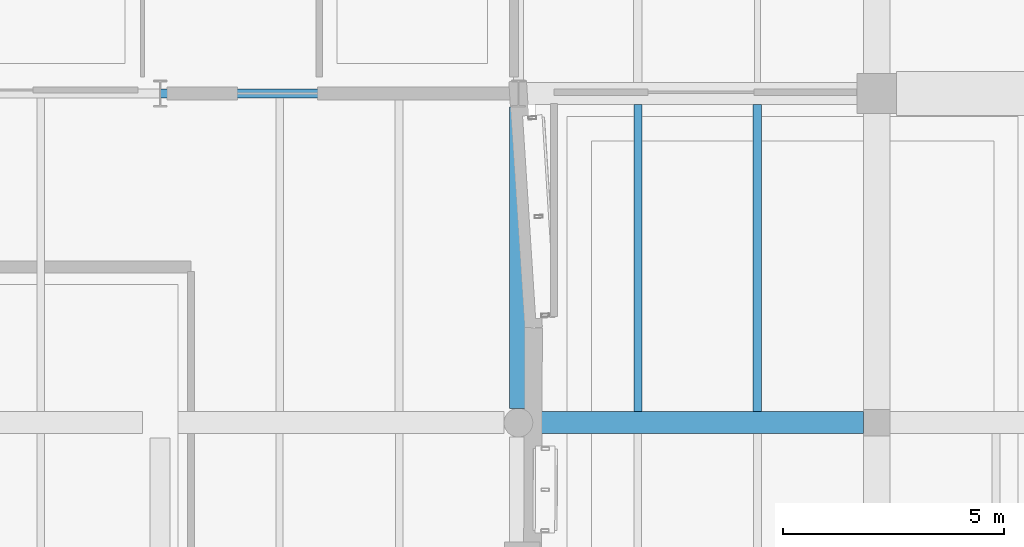
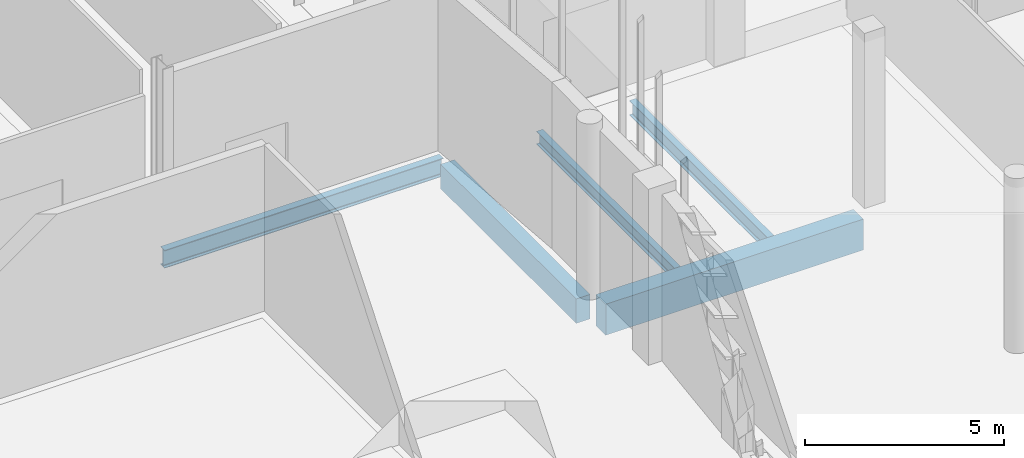
# One storey, part 128 of 372: 5 beams.
"""IFC4 building model written with IfcOpenShell, lengths in metres."""

from ifc_helpers import new_model, si_unit, direction, frame, origin, origin_2d, place, context, subcontext, project, spatial, rectangle, i_section, extrude, material, material_profile, profile_set, type_object, element, save


model = new_model("IFC4")

# Units and contexts
model_context = context("Model", 3, precision=1e-05, world=origin(), true_north=direction((0.0, 1.0)))
body_context = subcontext(model_context, "Body", "Model", "MODEL_VIEW")
ifc_project = project(units=[si_unit("LENGTHUNIT", "METRE"), si_unit("AREAUNIT", "SQUARE_METRE"), si_unit("VOLUMEUNIT", "CUBIC_METRE"), si_unit("PLANEANGLEUNIT", "RADIAN"), si_unit("MASSUNIT", "GRAM", prefix="KILO")], contexts=[model_context])

# Site, building, storey
site_placement = place(None, origin())
site = spatial("IfcSite", under=ifc_project, at=site_placement, CompositionType="ELEMENT")
building_placement = place(site_placement, origin())
building = spatial("IfcBuilding", under=site, at=building_placement, Name="Kaelora Sail Theatre", CompositionType="ELEMENT")
storey_placement = place(building_placement, origin())
storey = spatial("IfcBuildingStorey", under=building, at=storey_placement, Name="L00", CompositionType="ELEMENT", Elevation=0.0)

# Beams
ifc_material_1 = material(Name="Steel S355", Category="steel")
ifc_material_profile_1 = material_profile(ifc_material_1, i_section(OverallWidth=0.18994140625, OverallDepth=0.449951171875, WebThickness=0.009521484375, FlangeThickness=0.0146484375, FilletRadius=0.02099609375, at=origin_2d()), Name="IPE 450")
ifc_profile_set_1 = profile_set([ifc_material_profile_1], Name="Steel S355")
beam_type_1 = type_object("IfcBeamType", Name="STR-BM-BM-IPE450", PredefinedType="BEAM", material=ifc_profile_set_1)
beam_1_placement = place(storey_placement, frame((63.60009765625, 53.830078125, -0.544921875), z_axis=(0.0, 1.0, 0.0), x_axis=(-1.0, 0.0, 0.0)))
element("IfcBeam", 1, at=beam_1_placement, inside=storey, type_object=beam_type_1, Name="Secondary floor joist 8/H-2 (L00)", PredefinedType="BEAM", context=body_context, shape_type="SweptSolid", body=[
    extrude(i_section(OverallWidth=0.18994140625, OverallDepth=0.449951171875, WebThickness=0.009521484375, FlangeThickness=0.0146484375, FilletRadius=0.02099609375, at=origin_2d()), origin(), (0.0, 0.0, 1.0), 6.93994140625),
])
ifc_material_2 = material(Name="Steel S355", Category="steel")
ifc_material_profile_2 = material_profile(ifc_material_2, i_section(OverallWidth=0.2099609375, OverallDepth=0.550048828125, WebThickness=0.010986328125, FlangeThickness=0.01708984375, FilletRadius=0.02392578125, at=origin_2d()), Name="IPE 550")
ifc_profile_set_2 = profile_set([ifc_material_profile_2], Name="Steel S355")
beam_type_2 = type_object("IfcBeamType", Name="STR-BM-BM-IPE550", PredefinedType="USERDEFINED", material=ifc_profile_set_2)
beam_2_placement = place(storey_placement, frame((50.10888671875, 61.02001953125, -0.594970703125), z_axis=(1.0, 0.0, 0.0), x_axis=(0.0, 1.0, 0.0)))
element("IfcBeam", 2, at=beam_2_placement, inside=storey, type_object=beam_type_2, Name="Primary beam I 7-8 (L00)", ObjectType="GIRDER", PredefinedType="USERDEFINED", context=body_context, shape_type="SweptSolid", body=[
    extrude(i_section(OverallWidth=0.2099609375, OverallDepth=0.550048828125, WebThickness=0.010986328125, FlangeThickness=0.01708984375, FilletRadius=0.02392578125, at=origin_2d()), origin(), (0.0, 0.0, 1.0), 8.08203125),
])
ifc_material_3 = material(Name="Concrete C40/50", Category="concrete")
ifc_material_profile_3 = material_profile(ifc_material_3, rectangle(XDim=0.39990234375, YDim=0.75, at=origin_2d()), Name="RC-BM 400x750")
ifc_profile_set_3 = profile_set([ifc_material_profile_3], Name="Concrete C40/50")
beam_type_3 = type_object("IfcBeamType", Name="STR-BM-BM-RC4075", PredefinedType="BEAM", material=ifc_profile_set_3)
beam_3_placement = place(storey_placement, frame((58.199951171875, 53.905029296875, -0.695068359375), z_axis=(0.0, 1.0, 0.0), x_axis=(-1.0, 0.0, 0.0)))
element("IfcBeam", 3, at=beam_3_placement, inside=storey, type_object=beam_type_3, Name="Primary beam 8 H-I (L00)", PredefinedType="BEAM", context=body_context, shape_type="SweptSolid", body=[
    extrude(rectangle(XDim=0.39990234375, YDim=0.75, at=origin_2d()), origin(), (0.0, 0.0, 1.0), 6.81494140625),
])
ifc_material_4 = material(Name="Concrete C45/55", Category="concrete")
ifc_material_profile_4 = material_profile(ifc_material_4, rectangle(XDim=0.5, YDim=0.949951171875, at=origin_2d()), Name="RC-GRD 500x950")
ifc_profile_set_4 = profile_set([ifc_material_profile_4], Name="Concrete C45/55")
beam_type_4 = type_object("IfcBeamType", Name="STR-BM-GR-RC5095", PredefinedType="T_BEAM", material=ifc_profile_set_4)
beam_4_placement = place(storey_placement, frame((58.52490234375, 53.580078125, -0.794921875), z_axis=(1.0, 0.0, 0.0), x_axis=(0.0, 1.0, 0.0)))
element("IfcBeam", 4, at=beam_4_placement, inside=storey, type_object=beam_type_4, Name="Primary beam H 8-9 (L00)", PredefinedType="T_BEAM", context=body_context, shape_type="SweptSolid", body=[
    extrude(rectangle(XDim=0.5, YDim=0.949951171875, at=origin_2d()), origin(), (0.0, 0.0, 1.0), 7.47509765625),
])
ifc_material_5 = material(Name="Steel S355", Category="steel")
ifc_material_profile_5 = material_profile(ifc_material_5, i_section(OverallWidth=0.179931640625, OverallDepth=0.39990234375, WebThickness=0.008544921875, FlangeThickness=0.013427734375, FilletRadius=0.02099609375, at=origin_2d()), Name="IPE 400")
ifc_profile_set_5 = profile_set([ifc_material_profile_5], Name="Steel S355")
beam_type_5 = type_object("IfcBeamType", Name="STR-BM-JS-IPE400", PredefinedType="JOIST", material=ifc_profile_set_5)
beam_5_placement = place(storey_placement, frame((60.89990234375, 53.830078125, -0.52001953125), z_axis=(0.0, 1.0, 0.0), x_axis=(-1.0, 0.0, 0.0)))
element("IfcBeam", 5, at=beam_5_placement, inside=storey, type_object=beam_type_5, Name="Secondary floor joist 8/H-1 (L00)", PredefinedType="JOIST", context=body_context, shape_type="SweptSolid", body=[
    extrude(i_section(OverallWidth=0.179931640625, OverallDepth=0.39990234375, WebThickness=0.008544921875, FlangeThickness=0.013427734375, FilletRadius=0.02099609375, at=origin_2d()), origin(), (0.0, 0.0, 1.0), 6.93994140625),
])

save(model, "model.ifc")
